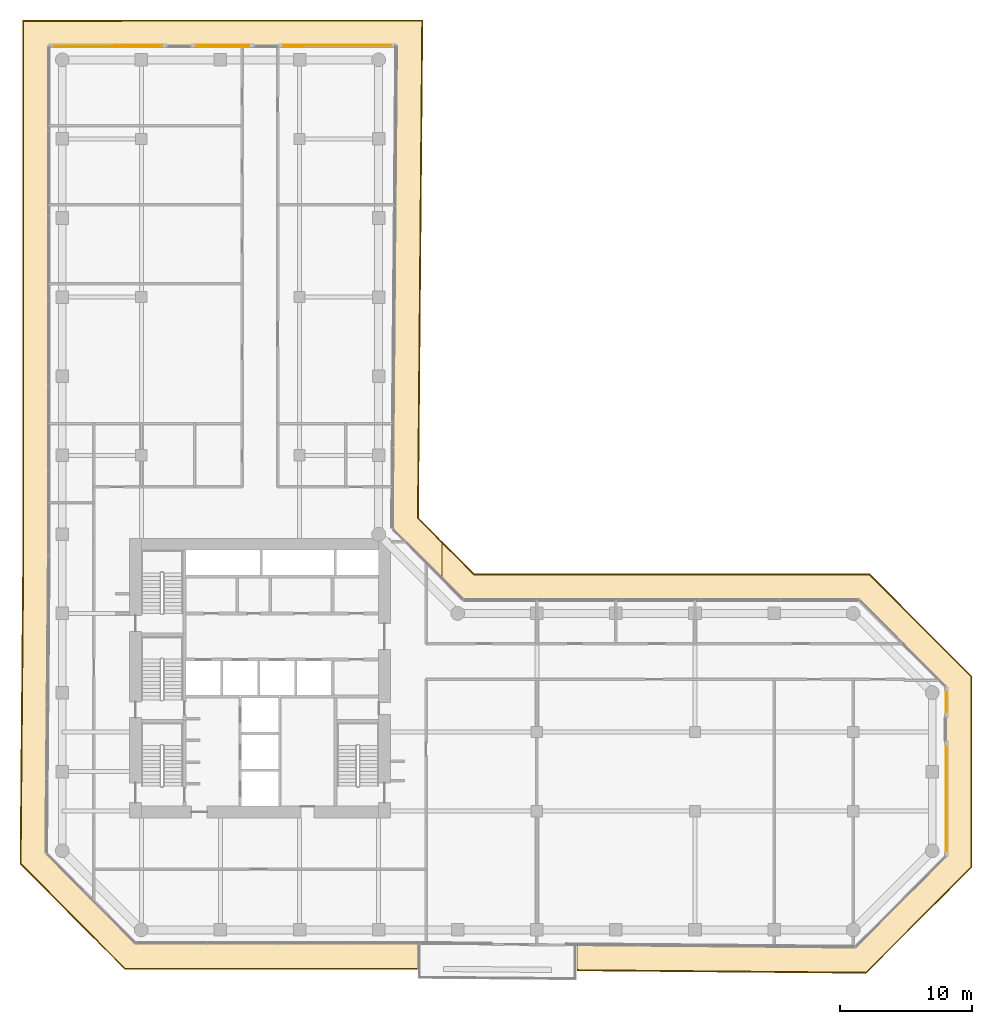
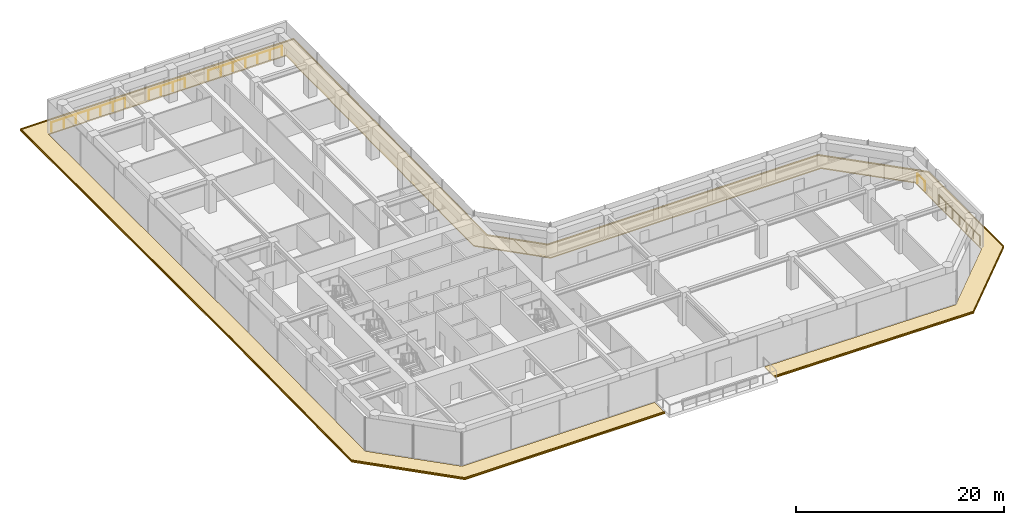
# One storey, part 29 of 29: 5 railings, 4 coverings.
"""IFC4 building model written with IfcOpenShell, lengths in metres."""

from ifc_helpers import new_model, si_unit, direction, frame, origin, origin_2d, place, context, subcontext, project, spatial, polyline, circle, outline, extrude, material, layer, layer_set, type_object, element, save


model = new_model("IFC4")

# Units and contexts
model_context = context("Model", 3, precision=1e-05, world=origin(), true_north=direction((0.0, 1.0)))
body_context = subcontext(model_context, "Body", "Model", "MODEL_VIEW")
ifc_project = project(units=[si_unit("LENGTHUNIT", "METRE"), si_unit("AREAUNIT", "SQUARE_METRE"), si_unit("VOLUMEUNIT", "CUBIC_METRE"), si_unit("PLANEANGLEUNIT", "RADIAN"), si_unit("MASSUNIT", "GRAM", prefix="KILO")], contexts=[model_context])

# Site, building, storey
site_placement = place(None, origin())
site = spatial("IfcSite", under=ifc_project, at=site_placement, CompositionType="ELEMENT")
building_placement = place(site_placement, origin())
building = spatial("IfcBuilding", under=site, at=building_placement, Name="Welwitschia Terrace Campus", CompositionType="ELEMENT")
storey_placement = place(building_placement, frame((0.0, 0.0, 50.0)))
storey = spatial("IfcBuildingStorey", under=building, at=storey_placement, Name="L11", CompositionType="ELEMENT", Elevation=50.0)

# Railings
ifc_material_1 = material(Name="Stainless steel grade 316", Category="steel")
railing_type = type_object("IfcRailingType", Name="Guard 1100", PredefinedType="GUARDRAIL", material=ifc_material_1)
railing_1_placement = place(storey_placement, frame((-0.608154296875, 63.058349609375, 0.0)))
element("IfcRailing", 1, at=railing_1_placement, inside=storey, type_object=railing_type, Name="Guard floor edge L11.0", PredefinedType="GUARDRAIL", context=body_context, shape_type="SweptSolid", body=[
    extrude(circle(Radius=0.02392578125, at=origin_2d()), frame((0.0, 0.0, 1.076171875), z_axis=(0.999999763084, 0.000688354669, 0.0), x_axis=(-0.000688354669, 0.999999763084, 0.0)), (0.0, 0.0, 1.0), 8.157470703125),
    extrude(circle(Radius=0.02099609375, at=origin_2d()), origin(), (0.0, 0.0, 1.0), 1.052001953125),
    extrude(circle(Radius=0.02099609375, at=origin_2d()), frame((1.359619140625, 0.0009765625, 0.0)), (0.0, 0.0, 1.0), 1.052001953125),
    extrude(circle(Radius=0.02099609375, at=origin_2d()), frame((2.71923828125, 0.001953125, 0.0)), (0.0, 0.0, 1.0), 1.052001953125),
    extrude(circle(Radius=0.02099609375, at=origin_2d()), frame((4.07861328125, 0.0029296875, 0.0)), (0.0, 0.0, 1.0), 1.052001953125),
    extrude(circle(Radius=0.02099609375, at=origin_2d()), frame((5.438232421875, 0.003662109375, 0.0)), (0.0, 0.0, 1.0), 1.052001953125),
    extrude(circle(Radius=0.02099609375, at=origin_2d()), frame((6.7978515625, 0.004638671875, 0.0)), (0.0, 0.0, 1.0), 1.052001953125),
    extrude(circle(Radius=0.02099609375, at=origin_2d()), frame((8.157470703125, 0.005615234375, 0.0)), (0.0, 0.0, 1.0), 1.052001953125),
])
railing_2_placement = place(storey_placement, frame((10.17529296875, 63.06591796875, 0.0)))
element("IfcRailing", 2, at=railing_2_placement, inside=storey, type_object=railing_type, Name="Guard floor edge L11.1", PredefinedType="GUARDRAIL", context=body_context, shape_type="SweptSolid", body=[
    extrude(circle(Radius=0.02392578125, at=origin_2d()), frame((0.0, 0.0, 1.076171875), z_axis=(0.999999773238, 0.000673441748, 0.0), x_axis=(-0.000673441748, 0.999999773238, 0.0)), (0.0, 0.0, 1.0), 3.98779296875),
    extrude(circle(Radius=0.02099609375, at=origin_2d()), origin(), (0.0, 0.0, 1.0), 1.052001953125),
    extrude(circle(Radius=0.02099609375, at=origin_2d()), frame((1.329345703125, 0.0009765625, 0.0)), (0.0, 0.0, 1.0), 1.052001953125),
    extrude(circle(Radius=0.02099609375, at=origin_2d()), frame((2.658447265625, 0.001708984375, 0.0)), (0.0, 0.0, 1.0), 1.052001953125),
    extrude(circle(Radius=0.02099609375, at=origin_2d()), frame((3.98779296875, 0.002685546875, 0.0)), (0.0, 0.0, 1.0), 1.052001953125),
])
railing_3_placement = place(storey_placement, frame((16.7890625, 63.0703125, 0.0)))
element("IfcRailing", 3, at=railing_3_placement, inside=storey, type_object=railing_type, Name="Guard floor edge L11.2", PredefinedType="GUARDRAIL", context=body_context, shape_type="SweptSolid", body=[
    extrude(circle(Radius=0.02392578125, at=origin_2d()), frame((0.0, 0.0, 1.076171875), z_axis=(0.99999976297, 0.000688519519, 0.0), x_axis=(-0.000688519519, 0.99999976297, 0.0)), (0.0, 0.0, 1.0), 8.155517578125),
    extrude(circle(Radius=0.02099609375, at=origin_2d()), origin(), (0.0, 0.0, 1.0), 1.052001953125),
    extrude(circle(Radius=0.02099609375, at=origin_2d()), frame((1.359375, 0.0009765625, 0.0)), (0.0, 0.0, 1.0), 1.052001953125),
    extrude(circle(Radius=0.02099609375, at=origin_2d()), frame((2.718505859375, 0.001953125, 0.0)), (0.0, 0.0, 1.0), 1.052001953125),
    extrude(circle(Radius=0.02099609375, at=origin_2d()), frame((4.07763671875, 0.0029296875, 0.0)), (0.0, 0.0, 1.0), 1.052001953125),
    extrude(circle(Radius=0.02099609375, at=origin_2d()), frame((5.43701171875, 0.003662109375, 0.0)), (0.0, 0.0, 1.0), 1.052001953125),
    extrude(circle(Radius=0.02099609375, at=origin_2d()), frame((6.79638671875, 0.004638671875, 0.0)), (0.0, 0.0, 1.0), 1.052001953125),
    extrude(circle(Radius=0.02099609375, at=origin_2d()), frame((8.155517578125, 0.005615234375, 0.0)), (0.0, 0.0, 1.0), 1.052001953125),
])
railing_4_placement = place(storey_placement, frame((67.05810546875, 9.906005859375, 0.0)))
element("IfcRailing", 4, at=railing_4_placement, inside=storey, type_object=railing_type, Name="Guard floor edge L11.3", PredefinedType="GUARDRAIL", context=body_context, shape_type="SweptSolid", body=[
    extrude(circle(Radius=0.02392578125, at=origin_2d()), frame((0.0, 0.0, 1.076171875), z_axis=(0.0, -1.0, 0.0), x_axis=(1.0, 0.0, 0.0)), (0.0, 0.0, 1.0), 7.93115234375),
    extrude(circle(Radius=0.02099609375, at=origin_2d()), origin(), (0.0, 0.0, 1.0), 1.052001953125),
    extrude(circle(Radius=0.02099609375, at=origin_2d()), frame((0.0, -1.32177734375, 0.0)), (0.0, 0.0, 1.0), 1.052001953125),
    extrude(circle(Radius=0.02099609375, at=origin_2d()), frame((0.0, -2.643798828125, 0.0)), (0.0, 0.0, 1.0), 1.052001953125),
    extrude(circle(Radius=0.02099609375, at=origin_2d()), frame((0.0, -3.965576171875, 0.0)), (0.0, 0.0, 1.0), 1.052001953125),
    extrude(circle(Radius=0.02099609375, at=origin_2d()), frame((0.0, -5.287353515625, 0.0)), (0.0, 0.0, 1.0), 1.052001953125),
    extrude(circle(Radius=0.02099609375, at=origin_2d()), frame((0.0, -6.609375, 0.0)), (0.0, 0.0, 1.0), 1.052001953125),
    extrude(circle(Radius=0.02099609375, at=origin_2d()), frame((0.0, -7.93115234375, 0.0)), (0.0, 0.0, 1.0), 1.052001953125),
])
railing_5_placement = place(storey_placement, frame((67.05810546875, 14.025146484375, 0.0)))
element("IfcRailing", 5, at=railing_5_placement, inside=storey, type_object=railing_type, Name="Guard floor edge L11.4", PredefinedType="GUARDRAIL", context=body_context, shape_type="SweptSolid", body=[
    extrude(circle(Radius=0.02392578125, at=origin_2d()), frame((0.0, 0.0, 1.076171875), z_axis=(0.0, -1.0, 0.0), x_axis=(1.0, 0.0, 0.0)), (0.0, 0.0, 1.0), 1.4931640625),
    extrude(circle(Radius=0.02099609375, at=origin_2d()), origin(), (0.0, 0.0, 1.0), 1.052001953125),
    extrude(circle(Radius=0.02099609375, at=origin_2d()), frame((0.0, -1.4931640625, 0.0)), (0.0, 0.0, 1.0), 1.052001953125),
])

# Coverings
ifc_material_2 = material(Name="Bronze anodised aluminium", Category="aluminium")
ifc_layer_1 = layer(ifc_material_2, 0.1201171875)
ifc_layer_set_1 = layer_set([ifc_layer_1], Name="Bronze anodised aluminium")
covering_type_1 = type_object("IfcCoveringType", Name="Sunshade band 2000", PredefinedType="USERDEFINED", material=ifc_layer_set_1)
covering_1_placement = place(storey_placement, frame((0.0, 0.0, -0.25)))
element("IfcCovering", 6, at=covering_1_placement, inside=storey, type_object=covering_type_1, Name="SUNSHADE L11.SW0", ObjectType="SUNSHADE", PredefinedType="USERDEFINED", context=body_context, shape_type="SweptSolid", body=[
    extrude(outline(polyline([(27.35546875, 65.019775390625), (27.02587890625, 27.2509765625), (28.802978515625, 25.461181640625), (28.802978515625, 22.622802734375), (25.018798828125, 26.433837890625), (25.337890625, 63.018310546875), (-1.0, 63.0), (-1.0, 24.408447265625), (-1.197021484375, 1.833251953125), (5.585693359375, -5.0), (26.949951171875, -5.0), (26.949951171875, -7.0), (4.7529296875, -7.0), (-3.2041015625, 1.0166015625), (-3.0, 24.417236328125), (-3.0, 64.99853515625), (27.35546875, 65.019775390625)])), origin(), (0.0, 0.0, 1.0), 0.1201171875),
])
covering_2_placement = place(storey_placement, frame((0.0, 0.0, -0.25)))
element("IfcCovering", 7, at=covering_2_placement, inside=storey, type_object=covering_type_1, Name="SUNSHADE L11.SE0", ObjectType="SUNSHADE", PredefinedType="USERDEFINED", context=body_context, shape_type="SweptSolid", body=[
    extrude(outline(polyline([(31.246826171875, 23.0), (61.24267578125, 23.0), (69.0, 15.24267578125), (69.0, 0.760009765625), (60.981201171875, -7.29541015625), (39.050048828125, -7.10400390625), (39.050048828125, -5.10400390625), (60.157470703125, -5.2880859375), (67.0, 1.585693359375), (67.0, 14.414306640625), (60.414306640625, 21.0), (30.414306640625, 21.0), (28.802978515625, 22.622802734375), (28.802978515625, 25.461181640625), (31.246826171875, 23.0)])), origin(), (0.0, 0.0, 1.0), 0.1201171875),
])
ifc_material_3 = material(Name="Bronze anodised aluminium", Category="aluminium")
ifc_layer_2 = layer(ifc_material_3, 0.06005859375)
ifc_layer_set_2 = layer_set([ifc_layer_2], Name="Bronze anodised aluminium")
covering_type_2 = type_object("IfcCoveringType", Name="Sunshade lip 60", PredefinedType="USERDEFINED", material=ifc_layer_set_2)
covering_3_placement = place(storey_placement, frame((0.0, 0.0, -0.1298828125)))
element("IfcCovering", 8, at=covering_3_placement, inside=storey, type_object=covering_type_2, Name="SUNSHADE LIP L11.SW0.0", ObjectType="SUNSHADE", PredefinedType="USERDEFINED", context=body_context, shape_type="SweptSolid", body=[
    extrude(outline(polyline([(27.02587890625, 27.2509765625), (28.802978515625, 25.461181640625), (28.802978515625, 25.3759765625), (26.9658203125, 27.226318359375), (27.294921875, 64.959716796875), (-2.93994140625, 64.938720703125), (-2.93994140625, 24.4169921875), (-3.14404296875, 1.041015625), (4.778076171875, -6.93994140625), (26.949951171875, -6.93994140625), (26.949951171875, -7.0), (4.7529296875, -7.0), (-3.2041015625, 1.0166015625), (-3.0, 24.417236328125), (-3.0, 64.99853515625), (27.35546875, 65.019775390625), (27.02587890625, 27.2509765625)])), origin(), (0.0, 0.0, 1.0), 0.1298828125),
])
covering_4_placement = place(storey_placement, frame((0.0, 0.0, -0.1298828125)))
element("IfcCovering", 9, at=covering_4_placement, inside=storey, type_object=covering_type_2, Name="SUNSHADE LIP L11.SE0.0", ObjectType="SUNSHADE", PredefinedType="USERDEFINED", context=body_context, shape_type="SweptSolid", body=[
    extrude(outline(polyline([(61.24267578125, 23.0), (69.0, 15.24267578125), (69.0, 0.760009765625), (60.981201171875, -7.29541015625), (39.050048828125, -7.10400390625), (39.050048828125, -7.0439453125), (60.95654296875, -7.235107421875), (68.93994140625, 0.784912109375), (68.93994140625, 15.2177734375), (61.2177734375, 22.93994140625), (31.2216796875, 22.93994140625), (28.802978515625, 25.3759765625), (28.802978515625, 25.461181640625), (31.246826171875, 23.0), (61.24267578125, 23.0)])), origin(), (0.0, 0.0, 1.0), 0.1298828125),
])

save(model, "model.ifc")
